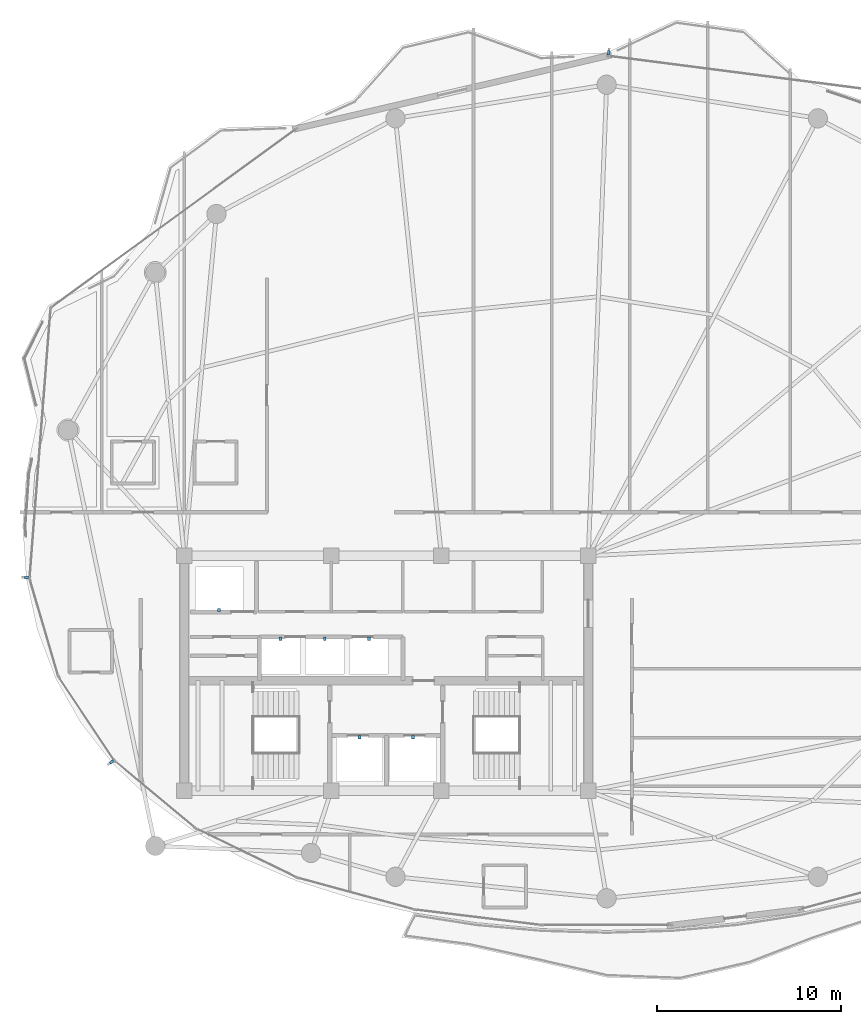
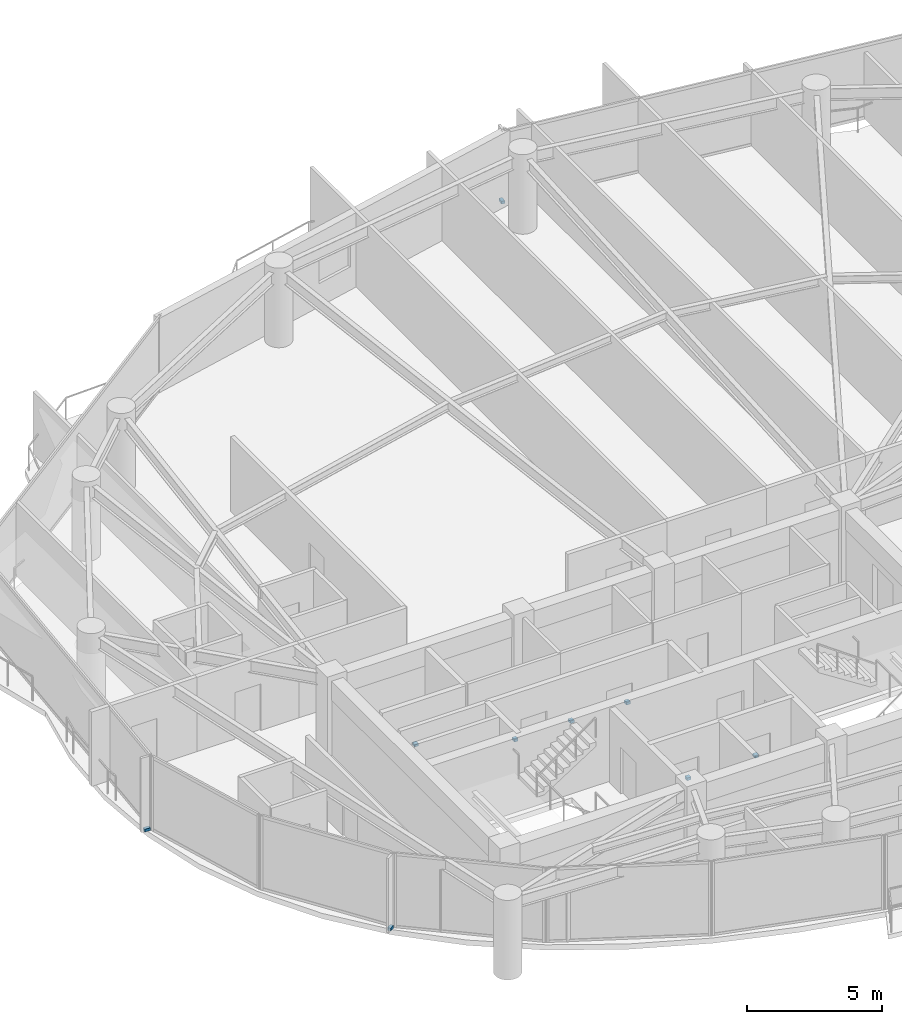
# One storey, part 28 of 31: 9 discrete accessories.
"""IFC4 building model written with IfcOpenShell, lengths in metres."""

from ifc_helpers import new_model, si_unit, direction, frame, origin, origin_2d, place, context, subcontext, project, spatial, rectangle, extrude, material, type_object, element, save


model = new_model("IFC4")

# Units and contexts
model_context = context("Model", 3, precision=1e-05, world=origin(), true_north=direction((0.0, 1.0)))
body_context = subcontext(model_context, "Body", "Model", "MODEL_VIEW")
ifc_project = project(units=[si_unit("LENGTHUNIT", "METRE"), si_unit("AREAUNIT", "SQUARE_METRE"), si_unit("VOLUMEUNIT", "CUBIC_METRE"), si_unit("PLANEANGLEUNIT", "RADIAN"), si_unit("MASSUNIT", "GRAM", prefix="KILO")], contexts=[model_context])

# Site, building, storey
site_placement = place(None, origin())
site = spatial("IfcSite", under=ifc_project, at=site_placement, CompositionType="ELEMENT")
building_placement = place(site_placement, origin())
building = spatial("IfcBuilding", under=site, at=building_placement, Name="Kazevale Care Tower and Concert Hall", CompositionType="ELEMENT")
storey_placement = place(building_placement, frame((0.0, 0.0, 220.800048828125)))
storey = spatial("IfcBuildingStorey", under=building, at=storey_placement, Name="L58", CompositionType="ELEMENT", Elevation=220.800048828125)

# Discrete accessories
ifc_material = material(Name="Stainless Steel 316", Category="steel")
discrete_accessory_type_1 = type_object("IfcDiscreteAccessoryType", Name="Facade Fin Stainless Anchor Bracket BRK-1", PredefinedType="BRACKET", material=ifc_material)
for number, where, z_axis, x_axis, name in (
    (1, (18.04443359375, 25.1689453125, 0.0), (0.0, 0.0, 1.0), (-0.832147748683, -0.554553986878, 0.0), "cw:L58:f11:brk"),
    (2, (13.41259765625, 35.210205078125, 0.0), (0.0, 0.0, 1.0), (-0.996985422604, 0.077589091471, 0.0), "cw:L58:f13:brk"),
    (3, (45.10546875, 63.785400390625, 0.0), (0.0, 0.0, 1.0), (0.128103248172, 0.991760837, 0.0), "cw:L58:f16:brk"),
):
    element("IfcDiscreteAccessory", number, at=place(storey_placement, frame(where, z_axis=z_axis, x_axis=x_axis)), inside=storey, type_object=discrete_accessory_type_1, Name=name, PredefinedType="BRACKET", context=body_context, shape_type="SweptSolid", body=[
        extrude(rectangle(XDim=0.239990234375, YDim=0.139892578125, at=origin_2d()), origin(), (0.0, 0.0, 1.0), 0.1201171875),
    ])
discrete_accessory_type_2 = type_object("IfcDiscreteAccessoryType", Name="Hoistway Guide-Rail Wall Bracket HBRK-1", PredefinedType="BRACKET", material=ifc_material)
for number, where, z_axis, x_axis, name in (
    (4, (31.550048828125, 26.52001953125, 1.239990234375), (0.0, 0.0, 1.0), (1.0, 0.0, 0.0), "hbrk:FFL-1:L58"),
    (5, (34.449951171875, 26.52001953125, 1.239990234375), (0.0, 0.0, 1.0), (1.0, 0.0, 0.0), "hbrk:FFL-2:L58"),
    (6, (23.89990234375, 33.449951171875, 1.239990234375), (0.0, 0.0, 1.0), (1.0, 0.0, 0.0), "hbrk:SVL-1:L58"),
    (7, (27.25, 31.8798828125, 1.239990234375), (0.0, 0.0, 1.0), (1.0, 0.0, 0.0), "hbrk:PH-1:L58"),
    (8, (29.64990234375, 31.8798828125, 1.239990234375), (0.0, 0.0, 1.0), (1.0, 0.0, 0.0), "hbrk:PH-2:L58"),
    (9, (32.050048828125, 31.8798828125, 1.239990234375), (0.0, 0.0, 1.0), (1.0, 0.0, 0.0), "hbrk:PH-3:L58"),
):
    element("IfcDiscreteAccessory", number, at=place(storey_placement, frame(where, z_axis=z_axis, x_axis=x_axis)), inside=storey, type_object=discrete_accessory_type_2, Name=name, PredefinedType="BRACKET", context=body_context, shape_type="SweptSolid", body=[
        extrude(rectangle(XDim=0.159912109375, YDim=0.179931640625, at=origin_2d()), origin(), (0.0, 0.0, 1.0), 0.1201171875),
    ])

save(model, "model.ifc")
